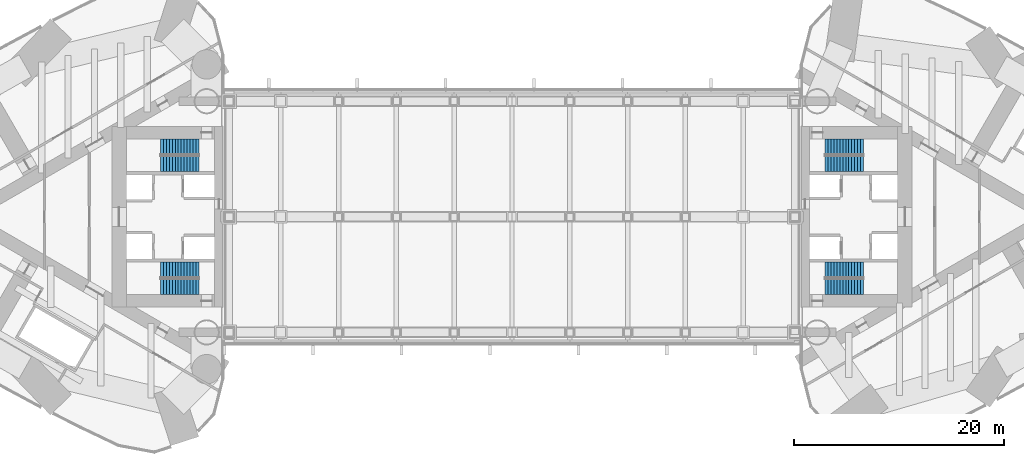
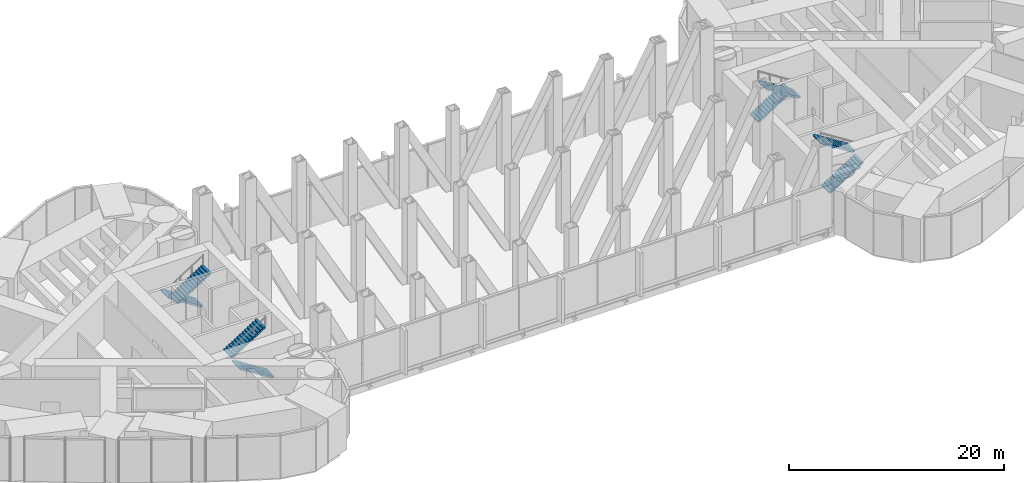
# One storey, part 20 of 21: 8 stair flights, 4 elements without a shape of their own.
"""IFC4 building model written with IfcOpenShell, lengths in metres."""

import ifcopenshell
import ifcopenshell.guid

model = None  # the IFC model being written
_history = None  # IfcOwnerHistory: only IFC2X3 demands one
_inside = {}  # id of a spatial element -> (the spatial element, [elements in it])
_under = {}  # id of a project, library or spatial element -> (it, [spatial elements below it])
_declared = {}  # id of a project -> (the project, [libraries it declares])
_typed = {}  # id of a type object -> (the type object, [elements of that type])
_made_of = {}  # id of a material, layer set ... -> (it, [elements and type objects made of it])


def new_model(schema):
    """Start an empty IFC model of exactly this schema.

    Asked for "IFC4X3", IfcOpenShell would pick the latest addendum, in which some entities
    have other attributes; the version numbers below select the first issue.
    IFC2X3 requires an IfcOwnerHistory on every rooted entity: one is made here for all.
    """
    global model, _history
    if schema == "IFC4X3":
        model = ifcopenshell.file(schema_version=(4, 3, 0, 0))
    else:
        model = ifcopenshell.file(schema=schema)
    _inside.clear()
    _under.clear()
    _declared.clear()
    _typed.clear()
    _made_of.clear()
    _history = None
    if model.schema == "IFC2X3":
        org = make("IfcOrganization", Name="unknown")
        user = make(
            "IfcPersonAndOrganization",
            ThePerson=make("IfcPerson", FamilyName="unknown"),
            TheOrganization=org,
        )
        app = make(
            "IfcApplication",
            ApplicationDeveloper=org,
            Version="unknown",
            ApplicationFullName="unknown",
            ApplicationIdentifier="unknown",
        )
        _history = make(
            "IfcOwnerHistory",
            OwningUser=user,
            OwningApplication=app,
            ChangeAction="ADDED",
            CreationDate=0,
        )
    return model


def make(cls, **values):
    """One entity of the class cls with the attributes given. An attribute that is None is left unset."""
    return model.create_entity(
        cls, **{name: value for name, value in values.items() if value is not None}
    )


def rooted(cls, **values):
    """An entity with a GlobalId (a new one), such as an element, a storey or a relation."""
    return make(cls, GlobalId=ifcopenshell.guid.new(), OwnerHistory=_history, **values)


def si_unit(unit_type, name, prefix=None):
    """IfcSIUnit, for example si_unit("LENGTHUNIT", "METRE", prefix="MILLI")."""
    return make("IfcSIUnit", UnitType=unit_type, Prefix=prefix, Name=name)


def assignment(units):
    """IfcUnitAssignment: the units of a project."""
    return None if units is None else make("IfcUnitAssignment", Units=units)


def point(xyz):
    """IfcCartesianPoint."""
    return None if xyz is None else make("IfcCartesianPoint", Coordinates=xyz)


def direction(xyz):
    """IfcDirection."""
    return None if xyz is None else make("IfcDirection", DirectionRatios=xyz)


def frame(location, z_axis=None, x_axis=None):
    """IfcAxis2Placement3D, a coordinate frame: its origin and axes. An axis left out is left unset."""
    return make(
        "IfcAxis2Placement3D",
        Location=point(location),
        Axis=direction(z_axis),
        RefDirection=direction(x_axis),
    )


def origin():
    """The frame at (0, 0, 0) with its axes left unset."""
    return frame((0.0, 0.0, 0.0))


def place(relative_to, where):
    """IfcLocalPlacement: puts the frame where relative to a parent placement (None: the world)."""
    return make(
        "IfcLocalPlacement", PlacementRelTo=relative_to, RelativePlacement=where
    )


def context(
    kind, dimensions, precision=None, world=None, true_north=None, identifier=None
):
    """IfcGeometricRepresentationContext, for example the 3D "Model" context."""
    return make(
        "IfcGeometricRepresentationContext",
        ContextIdentifier=identifier,
        ContextType=kind,
        CoordinateSpaceDimension=dimensions,
        Precision=precision,
        WorldCoordinateSystem=world,
        TrueNorth=true_north,
    )


def subcontext(parent, identifier, kind, view, scale=None):
    """IfcGeometricRepresentationSubContext, for example "Body" below "Model"."""
    return make(
        "IfcGeometricRepresentationSubContext",
        ContextIdentifier=identifier,
        ContextType=kind,
        ParentContext=parent,
        TargetScale=scale,
        TargetView=view,
    )


def project(units=None, contexts=None):
    """IfcProject with its units and contexts."""
    return rooted(
        "IfcProject",
        Name="project",
        RepresentationContexts=contexts,
        UnitsInContext=assignment(units),
    )


def spatial(cls, under=None, at=None, **own):
    """A site, building, storey or space (cls), placed at a placement, below another one or the project."""
    s = rooted(cls, ObjectPlacement=at, **own)
    if under is not None:
        _under.setdefault(under.id(), (under, []))[1].append(s)
    return s


def polyline(points):
    """IfcPolyline through the points."""
    return make("IfcPolyline", Points=[point(p) for p in points])


def outline(outer, holes=None, kind="AREA"):
    """IfcArbitraryClosedProfileDef: a profile drawn as a closed curve; with holes, ...WithVoids."""
    if holes is None:
        return make("IfcArbitraryClosedProfileDef", ProfileType=kind, OuterCurve=outer)
    return make(
        "IfcArbitraryProfileDefWithVoids",
        ProfileType=kind,
        OuterCurve=outer,
        InnerCurves=holes,
    )


def extrude(swept, where, along, depth):
    """IfcExtrudedAreaSolid: the profile swept, set in the frame where, extruded along a direction by depth."""
    return make(
        "IfcExtrudedAreaSolid",
        SweptArea=swept,
        Position=where,
        ExtrudedDirection=direction(along),
        Depth=depth,
    )


def shape(context_of_items, identifier, shape_type, items):
    """IfcShapeRepresentation: the items that make up one representation, for example the "Body"."""
    return make(
        "IfcShapeRepresentation",
        ContextOfItems=context_of_items,
        RepresentationIdentifier=identifier,
        RepresentationType=shape_type,
        Items=items,
    )


def material(Name=None, Category=None):
    """IfcMaterial."""
    return make("IfcMaterial", Name=Name, Category=Category)


def made_of(thing, what):
    """Note that an element or type object is made of a material, layer set ...; save() writes the relation."""
    if what is not None:
        _made_of.setdefault(what.id(), (what, []))[1].append(thing)
    return thing


def type_object(cls, material=None, **own):
    """A type object (cls), such as IfcWallType, which elements share."""
    return made_of(rooted(cls, **own), material)


def element(
    cls,
    number,
    at=None,
    inside=None,
    cuts=None,
    type_object=None,
    material=None,
    context=None,
    identifier="Body",
    shape_type=None,
    held_by="IfcProductDefinitionShape",
    body=None,
    shapes=None,
    **own,
):
    """One element of the class cls, such as IfcWall. Its Tag is "e" and its number.

    at: its placement. inside: the storey or other place that contains it. cuts: it is an
    opening in that element (IfcRelVoidsElement). A single representation is given by context,
    identifier, shape_type and body (its items); several are given by shapes. held_by: the class
    of the entity that holds the representations. save() writes the other relations.
    """
    e = rooted(cls, Tag="e%d" % number, ObjectPlacement=at, **own)
    if body is not None:
        shapes = [shape(context, identifier, shape_type, body)]
    if shapes is not None:
        e.Representation = make(held_by, Representations=shapes)
    if inside is not None:
        _inside.setdefault(inside.id(), (inside, []))[1].append(e)
    if cuts is not None:
        rooted(
            "IfcRelVoidsElement", RelatingBuildingElement=cuts, RelatedOpeningElement=e
        )
    if type_object is not None:
        _typed.setdefault(type_object.id(), (type_object, []))[1].append(e)
    return made_of(e, material)


def aggregate(whole, parts):
    """IfcRelAggregates: a whole, such as a stair, and the parts it consists of."""
    return rooted("IfcRelAggregates", RelatingObject=whole, RelatedObjects=parts)


def save(model, path):
    """Write the relations noted so far, then the file.

    IfcRelAggregates (storeys below a building ...), IfcRelContainedInSpatialStructure (elements
    in a storey), IfcRelDefinesByType, IfcRelAssociatesMaterial and IfcRelDeclares: one each for
    every whole, place, type object, material and project.
    """
    for whole, parts in _under.values():
        aggregate(whole, parts)
    for where, things in _inside.values():
        rooted(
            "IfcRelContainedInSpatialStructure",
            RelatedElements=things,
            RelatingStructure=where,
        )
    for kind, things in _typed.values():
        rooted("IfcRelDefinesByType", RelatedObjects=things, RelatingType=kind)
    for what, things in _made_of.values():
        rooted("IfcRelAssociatesMaterial", RelatedObjects=things, RelatingMaterial=what)
    for by, libraries in _declared.values():
        rooted("IfcRelDeclares", RelatingContext=by, RelatedDefinitions=libraries)
    model.write(path)


model = new_model("IFC4")

# Units and contexts
model_context = context("Model", 3, precision=1e-05, world=origin(), true_north=direction((0.0, 1.0)))
body_context = subcontext(model_context, "Body", "Model", "MODEL_VIEW")
ifc_project = project(units=[si_unit("LENGTHUNIT", "METRE"), si_unit("AREAUNIT", "SQUARE_METRE"), si_unit("VOLUMEUNIT", "CUBIC_METRE"), si_unit("PLANEANGLEUNIT", "RADIAN"), si_unit("MASSUNIT", "GRAM", prefix="KILO")], contexts=[model_context])

# Site, building, storey
site_placement = place(None, origin())
site = spatial("IfcSite", under=ifc_project, at=site_placement, CompositionType="ELEMENT")
building_placement = place(site_placement, origin())
building = spatial("IfcBuilding", under=site, at=building_placement, Name="Lancet Gate Hotel", CompositionType="ELEMENT")
storey_placement = place(building_placement, frame((0.0, 0.0, 205.300048828125)))
storey = spatial("IfcBuildingStorey", under=building, at=storey_placement, Name="L55", CompositionType="ELEMENT", Elevation=205.300048828125)

# Stair, stair flights
ifc_material_1 = material(Name="Exit stair 28 risers 1500")
stair_type = type_object("IfcStairType", Name="Exit stair 28 risers 1500", PredefinedType="HALF_TURN_STAIR", material=ifc_material_1)
stair_1_placement = place(storey_placement, origin())
stair_1 = element("IfcStair", 1, at=stair_1_placement, inside=storey, type_object=stair_type, Name="T1 stair 1 L55", PredefinedType="HALF_TURN_STAIR")
ifc_material_2 = material(Name="Stair flight 14 risers 179 rise 1500")
stair_flight_type = type_object("IfcStairFlightType", Name="Stair flight 14 risers 179 rise 1500", PredefinedType="STRAIGHT", material=ifc_material_2)
stair_flight_1_placement = place(storey_placement, frame((-29.800048828125, 6.64990234375, 0.0), z_axis=(0.0, 0.0, 1.0), x_axis=(-1.0, 0.0, 0.0)))
stair_flight_1 = element("IfcStairFlight", 2, at=stair_flight_1_placement, type_object=stair_flight_type, Name="ST1 flight 1", NumberOfRisers=14, NumberOfTreads=13, PredefinedType="STRAIGHT", RiserHeight=0.178571429, TreadLength=0.28, context=body_context, shape_type="SweptSolid", body=[
    extrude(outline(polyline([(0.0, 0.0), (0.0, 0.178466796875), (0.280029296875, 0.178466796875), (0.280029296875, 0.357177734375), (0.56005859375, 0.357177734375), (0.56005859375, 0.53564453125), (0.840087890625, 0.53564453125), (0.840087890625, 0.71435546875), (1.1201171875, 0.71435546875), (1.1201171875, 0.892822265625), (1.39990234375, 0.892822265625), (1.39990234375, 1.071533203125), (1.679931640625, 1.071533203125), (1.679931640625, 1.25), (1.9599609375, 1.25), (1.9599609375, 1.428466796875), (2.239990234375, 1.428466796875), (2.239990234375, 1.607177734375), (2.52001953125, 1.607177734375), (2.52001953125, 1.78564453125), (2.800048828125, 1.78564453125), (2.800048828125, 1.96435546875), (3.080078125, 1.96435546875), (3.080078125, 2.142822265625), (3.360107421875, 2.142822265625), (3.360107421875, 2.321533203125), (3.639892578125, 2.321533203125), (3.639892578125, 2.5), (3.639892578125, 2.1435546875), (0.27880859375, 0.0), (0.0, 0.0)])), frame((0.0, 0.75, 0.0), z_axis=(0.0, -1.0, 0.0), x_axis=(1.0, 0.0, 0.0)), (0.0, 0.0, 1.0), 1.5),
])
stair_flight_2_placement = place(storey_placement, frame((-33.43994140625, 5.050048828125, 2.5), z_axis=(0.0, 0.0, 1.0), x_axis=(1.0, 0.0, 0.0)))
stair_flight_2 = element("IfcStairFlight", 3, at=stair_flight_2_placement, type_object=stair_flight_type, Name="ST1 flight 2", NumberOfRisers=14, NumberOfTreads=13, PredefinedType="STRAIGHT", RiserHeight=0.178571429, TreadLength=0.28, context=body_context, shape_type="SweptSolid", body=[
    extrude(outline(polyline([(0.0, 0.0), (0.0, 0.178466796875), (0.280029296875, 0.178466796875), (0.280029296875, 0.357177734375), (0.56005859375, 0.357177734375), (0.56005859375, 0.53564453125), (0.840087890625, 0.53564453125), (0.840087890625, 0.71435546875), (1.1201171875, 0.71435546875), (1.1201171875, 0.892822265625), (1.39990234375, 0.892822265625), (1.39990234375, 1.071533203125), (1.679931640625, 1.071533203125), (1.679931640625, 1.25), (1.9599609375, 1.25), (1.9599609375, 1.428466796875), (2.239990234375, 1.428466796875), (2.239990234375, 1.607177734375), (2.52001953125, 1.607177734375), (2.52001953125, 1.78564453125), (2.800048828125, 1.78564453125), (2.800048828125, 1.96435546875), (3.080078125, 1.96435546875), (3.080078125, 2.142822265625), (3.360107421875, 2.142822265625), (3.360107421875, 2.321533203125), (3.639892578125, 2.321533203125), (3.639892578125, 2.5), (3.639892578125, 2.1435546875), (0.27880859375, 0.0), (0.0, 0.0)])), frame((0.0, 0.75, 0.0), z_axis=(0.0, -1.0, 0.0), x_axis=(1.0, 0.0, 0.0)), (0.0, 0.0, 1.0), 1.5),
])
aggregate(stair_1, [stair_flight_1, stair_flight_2])

stair_2_placement = place(storey_placement, origin())
stair_2 = element("IfcStair", 4, at=stair_2_placement, inside=storey, type_object=stair_type, Name="T1 stair 2 L55", PredefinedType="HALF_TURN_STAIR")
stair_flight_3_placement = place(storey_placement, frame((-29.800048828125, -6.64990234375, 0.0), z_axis=(0.0, 0.0, 1.0), x_axis=(-1.0, 0.0, 0.0)))
stair_flight_3 = element("IfcStairFlight", 5, at=stair_flight_3_placement, type_object=stair_flight_type, Name="ST2 flight 1", NumberOfRisers=14, NumberOfTreads=13, PredefinedType="STRAIGHT", RiserHeight=0.178571429, TreadLength=0.28, context=body_context, shape_type="SweptSolid", body=[
    extrude(outline(polyline([(0.0, 0.0), (0.0, 0.178466796875), (0.280029296875, 0.178466796875), (0.280029296875, 0.357177734375), (0.56005859375, 0.357177734375), (0.56005859375, 0.53564453125), (0.840087890625, 0.53564453125), (0.840087890625, 0.71435546875), (1.1201171875, 0.71435546875), (1.1201171875, 0.892822265625), (1.39990234375, 0.892822265625), (1.39990234375, 1.071533203125), (1.679931640625, 1.071533203125), (1.679931640625, 1.25), (1.9599609375, 1.25), (1.9599609375, 1.428466796875), (2.239990234375, 1.428466796875), (2.239990234375, 1.607177734375), (2.52001953125, 1.607177734375), (2.52001953125, 1.78564453125), (2.800048828125, 1.78564453125), (2.800048828125, 1.96435546875), (3.080078125, 1.96435546875), (3.080078125, 2.142822265625), (3.360107421875, 2.142822265625), (3.360107421875, 2.321533203125), (3.639892578125, 2.321533203125), (3.639892578125, 2.5), (3.639892578125, 2.1435546875), (0.27880859375, 0.0), (0.0, 0.0)])), frame((0.0, 0.75, 0.0), z_axis=(0.0, -1.0, 0.0), x_axis=(1.0, 0.0, 0.0)), (0.0, 0.0, 1.0), 1.5),
])
stair_flight_4_placement = place(storey_placement, frame((-33.43994140625, -5.050048828125, 2.5), z_axis=(0.0, 0.0, 1.0), x_axis=(1.0, 0.0, 0.0)))
stair_flight_4 = element("IfcStairFlight", 6, at=stair_flight_4_placement, type_object=stair_flight_type, Name="ST2 flight 2", NumberOfRisers=14, NumberOfTreads=13, PredefinedType="STRAIGHT", RiserHeight=0.178571429, TreadLength=0.28, context=body_context, shape_type="SweptSolid", body=[
    extrude(outline(polyline([(0.0, 0.0), (0.0, 0.178466796875), (0.280029296875, 0.178466796875), (0.280029296875, 0.357177734375), (0.56005859375, 0.357177734375), (0.56005859375, 0.53564453125), (0.840087890625, 0.53564453125), (0.840087890625, 0.71435546875), (1.1201171875, 0.71435546875), (1.1201171875, 0.892822265625), (1.39990234375, 0.892822265625), (1.39990234375, 1.071533203125), (1.679931640625, 1.071533203125), (1.679931640625, 1.25), (1.9599609375, 1.25), (1.9599609375, 1.428466796875), (2.239990234375, 1.428466796875), (2.239990234375, 1.607177734375), (2.52001953125, 1.607177734375), (2.52001953125, 1.78564453125), (2.800048828125, 1.78564453125), (2.800048828125, 1.96435546875), (3.080078125, 1.96435546875), (3.080078125, 2.142822265625), (3.360107421875, 2.142822265625), (3.360107421875, 2.321533203125), (3.639892578125, 2.321533203125), (3.639892578125, 2.5), (3.639892578125, 2.1435546875), (0.27880859375, 0.0), (0.0, 0.0)])), frame((0.0, 0.75, 0.0), z_axis=(0.0, -1.0, 0.0), x_axis=(1.0, 0.0, 0.0)), (0.0, 0.0, 1.0), 1.5),
])
aggregate(stair_2, [stair_flight_3, stair_flight_4])

stair_3_placement = place(storey_placement, origin())
stair_3 = element("IfcStair", 7, at=stair_3_placement, inside=storey, type_object=stair_type, Name="T2 stair 1 L55", PredefinedType="HALF_TURN_STAIR")
stair_flight_5_placement = place(storey_placement, frame((29.800048828125, -6.64990234375, 0.0), z_axis=(0.0, 0.0, 1.0), x_axis=(1.0, 0.0, 0.0)))
stair_flight_5 = element("IfcStairFlight", 8, at=stair_flight_5_placement, type_object=stair_flight_type, Name="ST3 flight 1", NumberOfRisers=14, NumberOfTreads=13, PredefinedType="STRAIGHT", RiserHeight=0.178571429, TreadLength=0.28, context=body_context, shape_type="SweptSolid", body=[
    extrude(outline(polyline([(0.0, 0.0), (0.0, 0.178466796875), (0.280029296875, 0.178466796875), (0.280029296875, 0.357177734375), (0.56005859375, 0.357177734375), (0.56005859375, 0.53564453125), (0.840087890625, 0.53564453125), (0.840087890625, 0.71435546875), (1.1201171875, 0.71435546875), (1.1201171875, 0.892822265625), (1.39990234375, 0.892822265625), (1.39990234375, 1.071533203125), (1.679931640625, 1.071533203125), (1.679931640625, 1.25), (1.9599609375, 1.25), (1.9599609375, 1.428466796875), (2.239990234375, 1.428466796875), (2.239990234375, 1.607177734375), (2.52001953125, 1.607177734375), (2.52001953125, 1.78564453125), (2.800048828125, 1.78564453125), (2.800048828125, 1.96435546875), (3.080078125, 1.96435546875), (3.080078125, 2.142822265625), (3.360107421875, 2.142822265625), (3.360107421875, 2.321533203125), (3.639892578125, 2.321533203125), (3.639892578125, 2.5), (3.639892578125, 2.1435546875), (0.27880859375, 0.0), (0.0, 0.0)])), frame((0.0, 0.75, 0.0), z_axis=(0.0, -1.0, 0.0), x_axis=(1.0, 0.0, 0.0)), (0.0, 0.0, 1.0), 1.5),
])
stair_flight_6_placement = place(storey_placement, frame((33.43994140625, -5.050048828125, 2.5), z_axis=(0.0, 0.0, 1.0), x_axis=(-1.0, 0.0, 0.0)))
stair_flight_6 = element("IfcStairFlight", 9, at=stair_flight_6_placement, type_object=stair_flight_type, Name="ST3 flight 2", NumberOfRisers=14, NumberOfTreads=13, PredefinedType="STRAIGHT", RiserHeight=0.178571429, TreadLength=0.28, context=body_context, shape_type="SweptSolid", body=[
    extrude(outline(polyline([(0.0, 0.0), (0.0, 0.178466796875), (0.280029296875, 0.178466796875), (0.280029296875, 0.357177734375), (0.56005859375, 0.357177734375), (0.56005859375, 0.53564453125), (0.840087890625, 0.53564453125), (0.840087890625, 0.71435546875), (1.1201171875, 0.71435546875), (1.1201171875, 0.892822265625), (1.39990234375, 0.892822265625), (1.39990234375, 1.071533203125), (1.679931640625, 1.071533203125), (1.679931640625, 1.25), (1.9599609375, 1.25), (1.9599609375, 1.428466796875), (2.239990234375, 1.428466796875), (2.239990234375, 1.607177734375), (2.52001953125, 1.607177734375), (2.52001953125, 1.78564453125), (2.800048828125, 1.78564453125), (2.800048828125, 1.96435546875), (3.080078125, 1.96435546875), (3.080078125, 2.142822265625), (3.360107421875, 2.142822265625), (3.360107421875, 2.321533203125), (3.639892578125, 2.321533203125), (3.639892578125, 2.5), (3.639892578125, 2.1435546875), (0.27880859375, 0.0), (0.0, 0.0)])), frame((0.0, 0.75, 0.0), z_axis=(0.0, -1.0, 0.0), x_axis=(1.0, 0.0, 0.0)), (0.0, 0.0, 1.0), 1.5),
])
aggregate(stair_3, [stair_flight_5, stair_flight_6])

stair_4_placement = place(storey_placement, origin())
stair_4 = element("IfcStair", 10, at=stair_4_placement, inside=storey, type_object=stair_type, Name="T2 stair 2 L55", PredefinedType="HALF_TURN_STAIR")
stair_flight_7_placement = place(storey_placement, frame((29.800048828125, 6.64990234375, 0.0), z_axis=(0.0, 0.0, 1.0), x_axis=(1.0, 0.0, 0.0)))
stair_flight_7 = element("IfcStairFlight", 11, at=stair_flight_7_placement, type_object=stair_flight_type, Name="ST4 flight 1", NumberOfRisers=14, NumberOfTreads=13, PredefinedType="STRAIGHT", RiserHeight=0.178571429, TreadLength=0.28, context=body_context, shape_type="SweptSolid", body=[
    extrude(outline(polyline([(0.0, 0.0), (0.0, 0.178466796875), (0.280029296875, 0.178466796875), (0.280029296875, 0.357177734375), (0.56005859375, 0.357177734375), (0.56005859375, 0.53564453125), (0.840087890625, 0.53564453125), (0.840087890625, 0.71435546875), (1.1201171875, 0.71435546875), (1.1201171875, 0.892822265625), (1.39990234375, 0.892822265625), (1.39990234375, 1.071533203125), (1.679931640625, 1.071533203125), (1.679931640625, 1.25), (1.9599609375, 1.25), (1.9599609375, 1.428466796875), (2.239990234375, 1.428466796875), (2.239990234375, 1.607177734375), (2.52001953125, 1.607177734375), (2.52001953125, 1.78564453125), (2.800048828125, 1.78564453125), (2.800048828125, 1.96435546875), (3.080078125, 1.96435546875), (3.080078125, 2.142822265625), (3.360107421875, 2.142822265625), (3.360107421875, 2.321533203125), (3.639892578125, 2.321533203125), (3.639892578125, 2.5), (3.639892578125, 2.1435546875), (0.27880859375, 0.0), (0.0, 0.0)])), frame((0.0, 0.75, 0.0), z_axis=(0.0, -1.0, 0.0), x_axis=(1.0, 0.0, 0.0)), (0.0, 0.0, 1.0), 1.5),
])
stair_flight_8_placement = place(storey_placement, frame((33.43994140625, 5.050048828125, 2.5), z_axis=(0.0, 0.0, 1.0), x_axis=(-1.0, 0.0, 0.0)))
stair_flight_8 = element("IfcStairFlight", 12, at=stair_flight_8_placement, type_object=stair_flight_type, Name="ST4 flight 2", NumberOfRisers=14, NumberOfTreads=13, PredefinedType="STRAIGHT", RiserHeight=0.178571429, TreadLength=0.28, context=body_context, shape_type="SweptSolid", body=[
    extrude(outline(polyline([(0.0, 0.0), (0.0, 0.178466796875), (0.280029296875, 0.178466796875), (0.280029296875, 0.357177734375), (0.56005859375, 0.357177734375), (0.56005859375, 0.53564453125), (0.840087890625, 0.53564453125), (0.840087890625, 0.71435546875), (1.1201171875, 0.71435546875), (1.1201171875, 0.892822265625), (1.39990234375, 0.892822265625), (1.39990234375, 1.071533203125), (1.679931640625, 1.071533203125), (1.679931640625, 1.25), (1.9599609375, 1.25), (1.9599609375, 1.428466796875), (2.239990234375, 1.428466796875), (2.239990234375, 1.607177734375), (2.52001953125, 1.607177734375), (2.52001953125, 1.78564453125), (2.800048828125, 1.78564453125), (2.800048828125, 1.96435546875), (3.080078125, 1.96435546875), (3.080078125, 2.142822265625), (3.360107421875, 2.142822265625), (3.360107421875, 2.321533203125), (3.639892578125, 2.321533203125), (3.639892578125, 2.5), (3.639892578125, 2.1435546875), (0.27880859375, 0.0), (0.0, 0.0)])), frame((0.0, 0.75, 0.0), z_axis=(0.0, -1.0, 0.0), x_axis=(1.0, 0.0, 0.0)), (0.0, 0.0, 1.0), 1.5),
])
aggregate(stair_4, [stair_flight_7, stair_flight_8])

save(model, "model.ifc")
